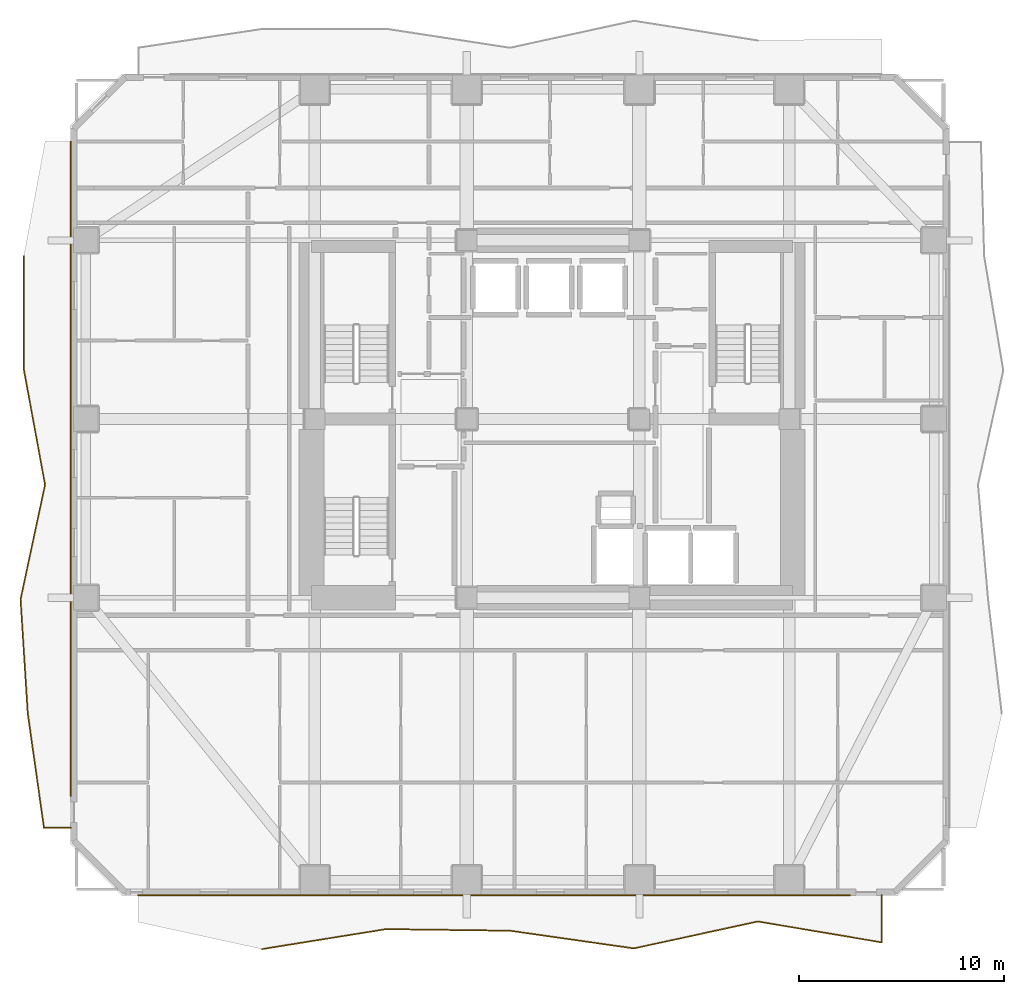
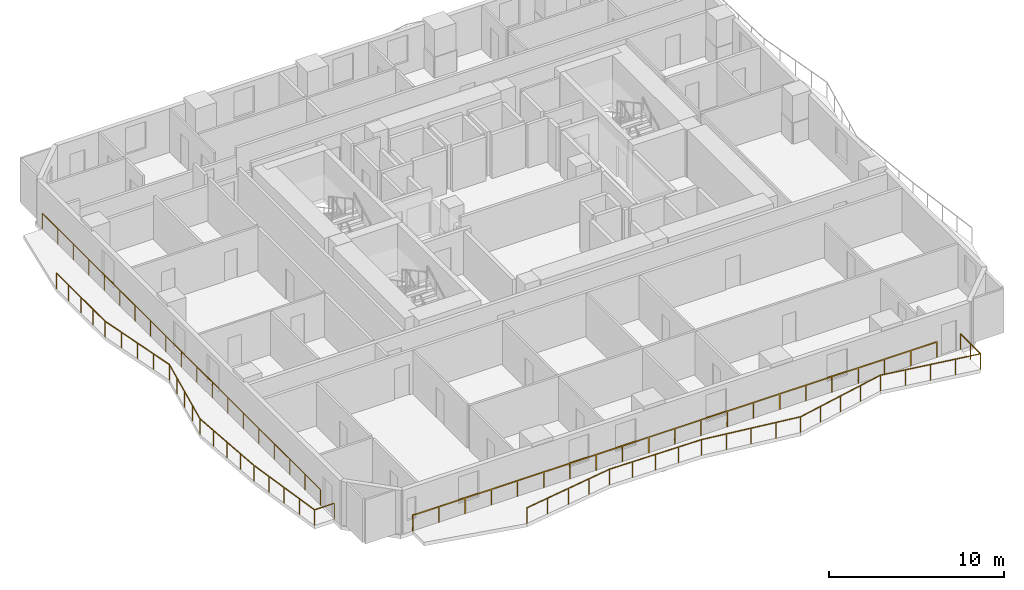
# One storey, part 8 of 11: 4 railings.
"""IFC4 building model written with IfcOpenShell, lengths in metres."""

from ifc_helpers import new_model, si_unit, direction, frame, origin, origin_2d, place, context, subcontext, project, spatial, rectangle, extrude, material, type_object, element, save


model = new_model("IFC4")

# Units and contexts
model_context = context("Model", 3, precision=1e-05, world=origin(), true_north=direction((0.0, 1.0)))
body_context = subcontext(model_context, "Body", "Model", "MODEL_VIEW")
ifc_project = project(units=[si_unit("LENGTHUNIT", "METRE"), si_unit("AREAUNIT", "SQUARE_METRE"), si_unit("VOLUMEUNIT", "CUBIC_METRE"), si_unit("PLANEANGLEUNIT", "RADIAN"), si_unit("MASSUNIT", "GRAM", prefix="KILO")], contexts=[model_context])

# Site, building, storey
site_placement = place(None, origin())
site = spatial("IfcSite", under=ifc_project, at=site_placement, CompositionType="ELEMENT")
building_placement = place(site_placement, origin())
building = spatial("IfcBuilding", under=site, at=building_placement, Name="Solanera Arch Residences", CompositionType="ELEMENT")
storey_placement = place(building_placement, frame((0.0, 0.0, 31.9599609375)))
storey = spatial("IfcBuildingStorey", under=building, at=storey_placement, Name="L08", CompositionType="ELEMENT", Elevation=31.9599609375)

# Railings
ifc_material = material(Name="Steel S355 (ASTM A992 / A572 Grade 50)", Category="steel")
railing_type = type_object("IfcRailingType", Name="Balustrade Railing BL-1100", PredefinedType="BALUSTRADE", material=ifc_material)
railing_1_placement = place(storey_placement, frame((10.8330078125, 4.89404296875, 0.0)))
element("IfcRailing", 1, at=railing_1_placement, inside=storey, type_object=railing_type, Name="L08 S Balcony Balustrade 1", PredefinedType="BALUSTRADE", context=body_context, shape_type="SweptSolid", body=[
    extrude(rectangle(XDim=0.048095703125, YDim=0.048095703125, at=origin_2d()), frame((0.0, 0.0, 1.09619140625), z_axis=(0.987274320338, 0.159026464466, 0.0), x_axis=(-0.159026464466, 0.987274320338, 0.0)), (0.0, 0.0, 1.0), 6.11181640625),
    extrude(rectangle(XDim=0.048095703125, YDim=0.048095703125, at=origin_2d()), frame((6.033935546875, 0.971923828125, 1.09619140625), z_axis=(0.999916686294, -0.012908155191, 0.0), x_axis=(0.012908155191, 0.999916686294, 0.0)), (0.0, 0.0, 1.0), 6.033447265625),
    extrude(rectangle(XDim=0.048095703125, YDim=0.048095703125, at=origin_2d()), frame((12.06689453125, 0.89404296875, 1.09619140625), z_axis=(0.989967912954, -0.14129236116, 0.0), x_axis=(0.14129236116, 0.989967912954, 0.0)), (0.0, 0.0, 1.0), 6.09423828125),
    extrude(rectangle(XDim=0.048095703125, YDim=0.048095703125, at=origin_2d()), frame((18.10009765625, 0.032958984375, 1.09619140625), z_axis=(0.977199553197, 0.212322945607, 0.0), x_axis=(-0.212322945607, 0.977199553197, 0.0)), (0.0, 0.0, 1.0), 6.1748046875),
    extrude(rectangle(XDim=0.048095703125, YDim=0.048095703125, at=origin_2d()), frame((24.134033203125, 1.343994140625, 1.09619140625), z_axis=(0.986084825782, -0.166242943799, 0.0), x_axis=(0.166242943799, 0.986084825782, 0.0)), (0.0, 0.0, 1.0), 6.1181640625),
    extrude(rectangle(XDim=0.048095703125, YDim=0.048095703125, at=origin_2d()), frame((30.1669921875, 0.326904296875, 1.09619140625), z_axis=(0.0, 1.0, 0.0), x_axis=(-1.0, 0.0, 0.0)), (0.0, 0.0, 1.0), 2.299072265625),
    extrude(rectangle(XDim=0.0419921875, YDim=0.0419921875, at=origin_2d()), origin(), (0.0, 0.0, 1.0), 1.072021484375),
    extrude(rectangle(XDim=0.0419921875, YDim=0.0419921875, at=origin_2d()), frame((1.508544921875, 0.242919921875, 0.0)), (0.0, 0.0, 1.0), 1.072021484375),
    extrude(rectangle(XDim=0.0419921875, YDim=0.0419921875, at=origin_2d()), frame((3.01708984375, 0.48583984375, 0.0)), (0.0, 0.0, 1.0), 1.072021484375),
    extrude(rectangle(XDim=0.0419921875, YDim=0.0419921875, at=origin_2d()), frame((4.525390625, 0.72900390625, 0.0)), (0.0, 0.0, 1.0), 1.072021484375),
    extrude(rectangle(XDim=0.0419921875, YDim=0.0419921875, at=origin_2d()), frame((6.033935546875, 0.971923828125, 0.0)), (0.0, 0.0, 1.0), 1.072021484375),
    extrude(rectangle(XDim=0.0419921875, YDim=0.0419921875, at=origin_2d()), frame((7.542236328125, 0.952392578125, 0.0)), (0.0, 0.0, 1.0), 1.072021484375),
    extrude(rectangle(XDim=0.0419921875, YDim=0.0419921875, at=origin_2d()), frame((9.05029296875, 0.93310546875, 0.0)), (0.0, 0.0, 1.0), 1.072021484375),
    extrude(rectangle(XDim=0.0419921875, YDim=0.0419921875, at=origin_2d()), frame((10.55859375, 0.91357421875, 0.0)), (0.0, 0.0, 1.0), 1.072021484375),
    extrude(rectangle(XDim=0.0419921875, YDim=0.0419921875, at=origin_2d()), frame((12.06689453125, 0.89404296875, 0.0)), (0.0, 0.0, 1.0), 1.072021484375),
    extrude(rectangle(XDim=0.0419921875, YDim=0.0419921875, at=origin_2d()), frame((13.5751953125, 0.6787109375, 0.0)), (0.0, 0.0, 1.0), 1.072021484375),
    extrude(rectangle(XDim=0.0419921875, YDim=0.0419921875, at=origin_2d()), frame((15.08349609375, 0.46337890625, 0.0)), (0.0, 0.0, 1.0), 1.072021484375),
    extrude(rectangle(XDim=0.0419921875, YDim=0.0419921875, at=origin_2d()), frame((16.591796875, 0.248291015625, 0.0)), (0.0, 0.0, 1.0), 1.072021484375),
    extrude(rectangle(XDim=0.0419921875, YDim=0.0419921875, at=origin_2d()), frame((18.10009765625, 0.032958984375, 0.0)), (0.0, 0.0, 1.0), 1.072021484375),
    extrude(rectangle(XDim=0.0419921875, YDim=0.0419921875, at=origin_2d()), frame((19.608642578125, 0.36083984375, 0.0)), (0.0, 0.0, 1.0), 1.072021484375),
    extrude(rectangle(XDim=0.0419921875, YDim=0.0419921875, at=origin_2d()), frame((21.1171875, 0.6884765625, 0.0)), (0.0, 0.0, 1.0), 1.072021484375),
    extrude(rectangle(XDim=0.0419921875, YDim=0.0419921875, at=origin_2d()), frame((22.62548828125, 1.01611328125, 0.0)), (0.0, 0.0, 1.0), 1.072021484375),
    extrude(rectangle(XDim=0.0419921875, YDim=0.0419921875, at=origin_2d()), frame((24.134033203125, 1.343994140625, 0.0)), (0.0, 0.0, 1.0), 1.072021484375),
    extrude(rectangle(XDim=0.0419921875, YDim=0.0419921875, at=origin_2d()), frame((25.642333984375, 1.08984375, 0.0)), (0.0, 0.0, 1.0), 1.072021484375),
    extrude(rectangle(XDim=0.0419921875, YDim=0.0419921875, at=origin_2d()), frame((27.150390625, 0.83544921875, 0.0)), (0.0, 0.0, 1.0), 1.072021484375),
    extrude(rectangle(XDim=0.0419921875, YDim=0.0419921875, at=origin_2d()), frame((28.65869140625, 0.5810546875, 0.0)), (0.0, 0.0, 1.0), 1.072021484375),
    extrude(rectangle(XDim=0.0419921875, YDim=0.0419921875, at=origin_2d()), frame((30.1669921875, 0.326904296875, 0.0)), (0.0, 0.0, 1.0), 1.072021484375),
    extrude(rectangle(XDim=0.0419921875, YDim=0.0419921875, at=origin_2d()), frame((30.1669921875, 1.4765625, 0.0)), (0.0, 0.0, 1.0), 1.072021484375),
    extrude(rectangle(XDim=0.0419921875, YDim=0.0419921875, at=origin_2d()), frame((30.1669921875, 2.6259765625, 0.0)), (0.0, 0.0, 1.0), 1.072021484375),
])
railing_2_placement = place(storey_placement, frame((39.43408203125, 7.52001953125, 0.0)))
element("IfcRailing", 2, at=railing_2_placement, inside=storey, type_object=railing_type, Name="L08 S Balcony Balustrade 2", PredefinedType="BALUSTRADE", context=body_context, shape_type="SweptSolid", body=[
    extrude(rectangle(XDim=0.048095703125, YDim=0.048095703125, at=origin_2d()), frame((0.0, 0.0, 1.09619140625), z_axis=(-1.0, 0.0, 0.0), x_axis=(0.0, -1.0, 0.0)), (0.0, 0.0, 1.0), 34.634033203125),
    extrude(rectangle(XDim=0.0419921875, YDim=0.0419921875, at=origin_2d()), origin(), (0.0, 0.0, 1.0), 1.072021484375),
    extrude(rectangle(XDim=0.0419921875, YDim=0.0419921875, at=origin_2d()), frame((-1.731689453125, 0.0, 0.0)), (0.0, 0.0, 1.0), 1.072021484375),
    extrude(rectangle(XDim=0.0419921875, YDim=0.0419921875, at=origin_2d()), frame((-3.46337890625, 0.0, 0.0)), (0.0, 0.0, 1.0), 1.072021484375),
    extrude(rectangle(XDim=0.0419921875, YDim=0.0419921875, at=origin_2d()), frame((-5.195068359375, 0.0, 0.0)), (0.0, 0.0, 1.0), 1.072021484375),
    extrude(rectangle(XDim=0.0419921875, YDim=0.0419921875, at=origin_2d()), frame((-6.9267578125, 0.0, 0.0)), (0.0, 0.0, 1.0), 1.072021484375),
    extrude(rectangle(XDim=0.0419921875, YDim=0.0419921875, at=origin_2d()), frame((-8.658447265625, 0.0, 0.0)), (0.0, 0.0, 1.0), 1.072021484375),
    extrude(rectangle(XDim=0.0419921875, YDim=0.0419921875, at=origin_2d()), frame((-10.39013671875, 0.0, 0.0)), (0.0, 0.0, 1.0), 1.072021484375),
    extrude(rectangle(XDim=0.0419921875, YDim=0.0419921875, at=origin_2d()), frame((-12.121826171875, 0.0, 0.0)), (0.0, 0.0, 1.0), 1.072021484375),
    extrude(rectangle(XDim=0.0419921875, YDim=0.0419921875, at=origin_2d()), frame((-13.853515625, 0.0, 0.0)), (0.0, 0.0, 1.0), 1.072021484375),
    extrude(rectangle(XDim=0.0419921875, YDim=0.0419921875, at=origin_2d()), frame((-15.585205078125, 0.0, 0.0)), (0.0, 0.0, 1.0), 1.072021484375),
    extrude(rectangle(XDim=0.0419921875, YDim=0.0419921875, at=origin_2d()), frame((-17.31689453125, 0.0, 0.0)), (0.0, 0.0, 1.0), 1.072021484375),
    extrude(rectangle(XDim=0.0419921875, YDim=0.0419921875, at=origin_2d()), frame((-19.048828125, 0.0, 0.0)), (0.0, 0.0, 1.0), 1.072021484375),
    extrude(rectangle(XDim=0.0419921875, YDim=0.0419921875, at=origin_2d()), frame((-20.780517578125, 0.0, 0.0)), (0.0, 0.0, 1.0), 1.072021484375),
    extrude(rectangle(XDim=0.0419921875, YDim=0.0419921875, at=origin_2d()), frame((-22.51220703125, 0.0, 0.0)), (0.0, 0.0, 1.0), 1.072021484375),
    extrude(rectangle(XDim=0.0419921875, YDim=0.0419921875, at=origin_2d()), frame((-24.243896484375, 0.0, 0.0)), (0.0, 0.0, 1.0), 1.072021484375),
    extrude(rectangle(XDim=0.0419921875, YDim=0.0419921875, at=origin_2d()), frame((-25.9755859375, 0.0, 0.0)), (0.0, 0.0, 1.0), 1.072021484375),
    extrude(rectangle(XDim=0.0419921875, YDim=0.0419921875, at=origin_2d()), frame((-27.707275390625, 0.0, 0.0)), (0.0, 0.0, 1.0), 1.072021484375),
    extrude(rectangle(XDim=0.0419921875, YDim=0.0419921875, at=origin_2d()), frame((-29.43896484375, 0.0, 0.0)), (0.0, 0.0, 1.0), 1.072021484375),
    extrude(rectangle(XDim=0.0419921875, YDim=0.0419921875, at=origin_2d()), frame((-31.170654296875, 0.0, 0.0)), (0.0, 0.0, 1.0), 1.072021484375),
    extrude(rectangle(XDim=0.0419921875, YDim=0.0419921875, at=origin_2d()), frame((-32.90234375, 0.0, 0.0)), (0.0, 0.0, 1.0), 1.072021484375),
    extrude(rectangle(XDim=0.0419921875, YDim=0.0419921875, at=origin_2d()), frame((-34.634033203125, 0.0, 0.0)), (0.0, 0.0, 1.0), 1.072021484375),
])
railing_3_placement = place(storey_placement, frame((-0.77099609375, 38.633056640625, 0.0)))
element("IfcRailing", 3, at=railing_3_placement, inside=storey, type_object=railing_type, Name="L08 W Balcony Balustrade 1", PredefinedType="BALUSTRADE", context=body_context, shape_type="SweptSolid", body=[
    extrude(rectangle(XDim=0.048095703125, YDim=0.048095703125, at=origin_2d()), frame((0.0, 0.0, 1.09619140625), z_axis=(0.001622876059, -0.999998683136, 0.0), x_axis=(0.999998683136, 0.001622876059, 0.0)), (0.0, 0.0, 1.0), 5.566162109375),
    extrude(rectangle(XDim=0.048095703125, YDim=0.048095703125, at=origin_2d()), frame((0.009033203125, -5.566162109375, 1.09619140625), z_axis=(0.181063628986, -0.983471383548, 0.0), x_axis=(0.983471383548, 0.181063628986, 0.0)), (0.0, 0.0, 1.0), 5.660400390625),
    extrude(rectangle(XDim=0.048095703125, YDim=0.048095703125, at=origin_2d()), frame((1.033935546875, -11.133056640625, 1.09619140625), z_axis=(-0.209359223468, -0.977838798345, 0.0), x_axis=(0.977838798345, -0.209359223468, 0.0)), (0.0, 0.0, 1.0), 5.693115234375),
    extrude(rectangle(XDim=0.048095703125, YDim=0.048095703125, at=origin_2d()), frame((-0.157958984375, -16.699951171875, 1.09619140625), z_axis=(0.062729846452, -0.998030543803, 0.0), x_axis=(0.998030543803, 0.062729846452, 0.0)), (0.0, 0.0, 1.0), 5.5771484375),
    extrude(rectangle(XDim=0.048095703125, YDim=0.048095703125, at=origin_2d()), frame((0.19189453125, -22.26611328125, 1.09619140625), z_axis=(0.140168928366, -0.990127603656, 0.0), x_axis=(0.990127603656, 0.140168928366, 0.0)), (0.0, 0.0, 1.0), 5.622314453125),
    extrude(rectangle(XDim=0.048095703125, YDim=0.048095703125, at=origin_2d()), frame((0.97998046875, -27.8330078125, 1.09619140625), z_axis=(1.0, 0.0, 0.0), x_axis=(0.0, 1.0, 0.0)), (0.0, 0.0, 1.0), 1.31103515625),
    extrude(rectangle(XDim=0.0419921875, YDim=0.0419921875, at=origin_2d()), origin(), (0.0, 0.0, 1.0), 1.072021484375),
    extrude(rectangle(XDim=0.0419921875, YDim=0.0419921875, at=origin_2d()), frame((0.002197265625, -1.3916015625, 0.0)), (0.0, 0.0, 1.0), 1.072021484375),
    extrude(rectangle(XDim=0.0419921875, YDim=0.0419921875, at=origin_2d()), frame((0.00439453125, -2.783203125, 0.0)), (0.0, 0.0, 1.0), 1.072021484375),
    extrude(rectangle(XDim=0.0419921875, YDim=0.0419921875, at=origin_2d()), frame((0.0068359375, -4.174560546875, 0.0)), (0.0, 0.0, 1.0), 1.072021484375),
    extrude(rectangle(XDim=0.0419921875, YDim=0.0419921875, at=origin_2d()), frame((0.009033203125, -5.566162109375, 0.0)), (0.0, 0.0, 1.0), 1.072021484375),
    extrude(rectangle(XDim=0.0419921875, YDim=0.0419921875, at=origin_2d()), frame((0.26513671875, -6.9580078125, 0.0)), (0.0, 0.0, 1.0), 1.072021484375),
    extrude(rectangle(XDim=0.0419921875, YDim=0.0419921875, at=origin_2d()), frame((0.521484375, -8.349609375, 0.0)), (0.0, 0.0, 1.0), 1.072021484375),
    extrude(rectangle(XDim=0.0419921875, YDim=0.0419921875, at=origin_2d()), frame((0.77783203125, -9.7412109375, 0.0)), (0.0, 0.0, 1.0), 1.072021484375),
    extrude(rectangle(XDim=0.0419921875, YDim=0.0419921875, at=origin_2d()), frame((1.033935546875, -11.133056640625, 0.0)), (0.0, 0.0, 1.0), 1.072021484375),
    extrude(rectangle(XDim=0.0419921875, YDim=0.0419921875, at=origin_2d()), frame((0.73583984375, -12.52490234375, 0.0)), (0.0, 0.0, 1.0), 1.072021484375),
    extrude(rectangle(XDim=0.0419921875, YDim=0.0419921875, at=origin_2d()), frame((0.43798828125, -13.91650390625, 0.0)), (0.0, 0.0, 1.0), 1.072021484375),
    extrude(rectangle(XDim=0.0419921875, YDim=0.0419921875, at=origin_2d()), frame((0.14013671875, -15.30810546875, 0.0)), (0.0, 0.0, 1.0), 1.072021484375),
    extrude(rectangle(XDim=0.0419921875, YDim=0.0419921875, at=origin_2d()), frame((-0.157958984375, -16.699951171875, 0.0)), (0.0, 0.0, 1.0), 1.072021484375),
    extrude(rectangle(XDim=0.0419921875, YDim=0.0419921875, at=origin_2d()), frame((-0.070556640625, -18.091552734375, 0.0)), (0.0, 0.0, 1.0), 1.072021484375),
    extrude(rectangle(XDim=0.0419921875, YDim=0.0419921875, at=origin_2d()), frame((0.01708984375, -19.48291015625, 0.0)), (0.0, 0.0, 1.0), 1.072021484375),
    extrude(rectangle(XDim=0.0419921875, YDim=0.0419921875, at=origin_2d()), frame((0.1044921875, -20.87451171875, 0.0)), (0.0, 0.0, 1.0), 1.072021484375),
    extrude(rectangle(XDim=0.0419921875, YDim=0.0419921875, at=origin_2d()), frame((0.19189453125, -22.26611328125, 0.0)), (0.0, 0.0, 1.0), 1.072021484375),
    extrude(rectangle(XDim=0.0419921875, YDim=0.0419921875, at=origin_2d()), frame((0.388916015625, -23.65771484375, 0.0)), (0.0, 0.0, 1.0), 1.072021484375),
    extrude(rectangle(XDim=0.0419921875, YDim=0.0419921875, at=origin_2d()), frame((0.5859375, -25.049560546875, 0.0)), (0.0, 0.0, 1.0), 1.072021484375),
    extrude(rectangle(XDim=0.0419921875, YDim=0.0419921875, at=origin_2d()), frame((0.782958984375, -26.44140625, 0.0)), (0.0, 0.0, 1.0), 1.072021484375),
    extrude(rectangle(XDim=0.0419921875, YDim=0.0419921875, at=origin_2d()), frame((0.97998046875, -27.8330078125, 0.0)), (0.0, 0.0, 1.0), 1.072021484375),
    extrude(rectangle(XDim=0.0419921875, YDim=0.0419921875, at=origin_2d()), frame((2.291015625, -27.8330078125, 0.0)), (0.0, 0.0, 1.0), 1.072021484375),
])
railing_4_placement = place(storey_placement, frame((1.52001953125, 12.365966796875, 0.0)))
element("IfcRailing", 4, at=railing_4_placement, inside=storey, type_object=railing_type, Name="L08 W Balcony Balustrade 2", PredefinedType="BALUSTRADE", context=body_context, shape_type="SweptSolid", body=[
    extrude(rectangle(XDim=0.048095703125, YDim=0.048095703125, at=origin_2d()), frame((0.0, 0.0, 1.09619140625), z_axis=(0.0, 1.0, 0.0), x_axis=(-1.0, 0.0, 0.0)), (0.0, 0.0, 1.0), 31.833984375),
    extrude(rectangle(XDim=0.0419921875, YDim=0.0419921875, at=origin_2d()), origin(), (0.0, 0.0, 1.0), 1.072021484375),
    extrude(rectangle(XDim=0.0419921875, YDim=0.0419921875, at=origin_2d()), frame((0.0, 1.7685546875, 0.0)), (0.0, 0.0, 1.0), 1.072021484375),
    extrude(rectangle(XDim=0.0419921875, YDim=0.0419921875, at=origin_2d()), frame((0.0, 3.537109375, 0.0)), (0.0, 0.0, 1.0), 1.072021484375),
    extrude(rectangle(XDim=0.0419921875, YDim=0.0419921875, at=origin_2d()), frame((0.0, 5.3056640625, 0.0)), (0.0, 0.0, 1.0), 1.072021484375),
    extrude(rectangle(XDim=0.0419921875, YDim=0.0419921875, at=origin_2d()), frame((0.0, 7.07421875, 0.0)), (0.0, 0.0, 1.0), 1.072021484375),
    extrude(rectangle(XDim=0.0419921875, YDim=0.0419921875, at=origin_2d()), frame((0.0, 8.8427734375, 0.0)), (0.0, 0.0, 1.0), 1.072021484375),
    extrude(rectangle(XDim=0.0419921875, YDim=0.0419921875, at=origin_2d()), frame((0.0, 10.611328125, 0.0)), (0.0, 0.0, 1.0), 1.072021484375),
    extrude(rectangle(XDim=0.0419921875, YDim=0.0419921875, at=origin_2d()), frame((0.0, 12.3798828125, 0.0)), (0.0, 0.0, 1.0), 1.072021484375),
    extrude(rectangle(XDim=0.0419921875, YDim=0.0419921875, at=origin_2d()), frame((0.0, 14.1484375, 0.0)), (0.0, 0.0, 1.0), 1.072021484375),
    extrude(rectangle(XDim=0.0419921875, YDim=0.0419921875, at=origin_2d()), frame((0.0, 15.9169921875, 0.0)), (0.0, 0.0, 1.0), 1.072021484375),
    extrude(rectangle(XDim=0.0419921875, YDim=0.0419921875, at=origin_2d()), frame((0.0, 17.685546875, 0.0)), (0.0, 0.0, 1.0), 1.072021484375),
    extrude(rectangle(XDim=0.0419921875, YDim=0.0419921875, at=origin_2d()), frame((0.0, 19.4541015625, 0.0)), (0.0, 0.0, 1.0), 1.072021484375),
    extrude(rectangle(XDim=0.0419921875, YDim=0.0419921875, at=origin_2d()), frame((0.0, 21.22265625, 0.0)), (0.0, 0.0, 1.0), 1.072021484375),
    extrude(rectangle(XDim=0.0419921875, YDim=0.0419921875, at=origin_2d()), frame((0.0, 22.9912109375, 0.0)), (0.0, 0.0, 1.0), 1.072021484375),
    extrude(rectangle(XDim=0.0419921875, YDim=0.0419921875, at=origin_2d()), frame((0.0, 24.759765625, 0.0)), (0.0, 0.0, 1.0), 1.072021484375),
    extrude(rectangle(XDim=0.0419921875, YDim=0.0419921875, at=origin_2d()), frame((0.0, 26.5283203125, 0.0)), (0.0, 0.0, 1.0), 1.072021484375),
    extrude(rectangle(XDim=0.0419921875, YDim=0.0419921875, at=origin_2d()), frame((0.0, 28.296875, 0.0)), (0.0, 0.0, 1.0), 1.072021484375),
    extrude(rectangle(XDim=0.0419921875, YDim=0.0419921875, at=origin_2d()), frame((0.0, 30.0654296875, 0.0)), (0.0, 0.0, 1.0), 1.072021484375),
    extrude(rectangle(XDim=0.0419921875, YDim=0.0419921875, at=origin_2d()), frame((0.0, 31.833984375, 0.0)), (0.0, 0.0, 1.0), 1.072021484375),
])

save(model, "model.ifc")
